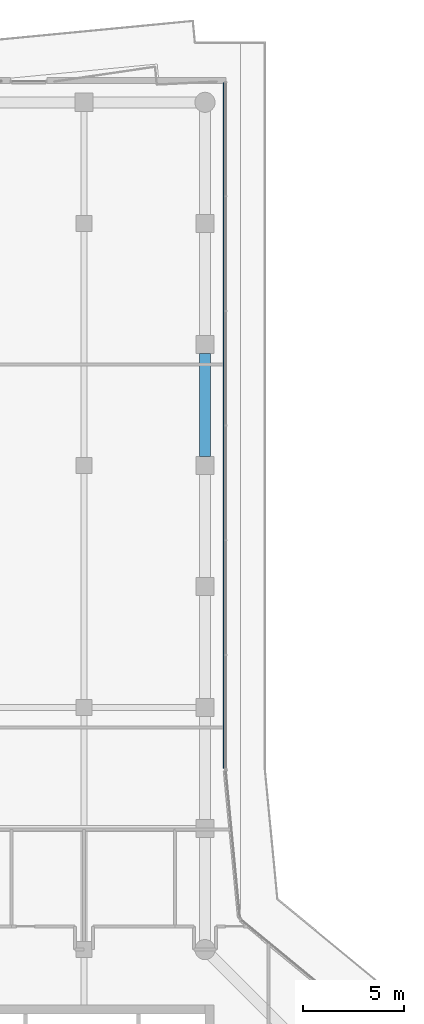
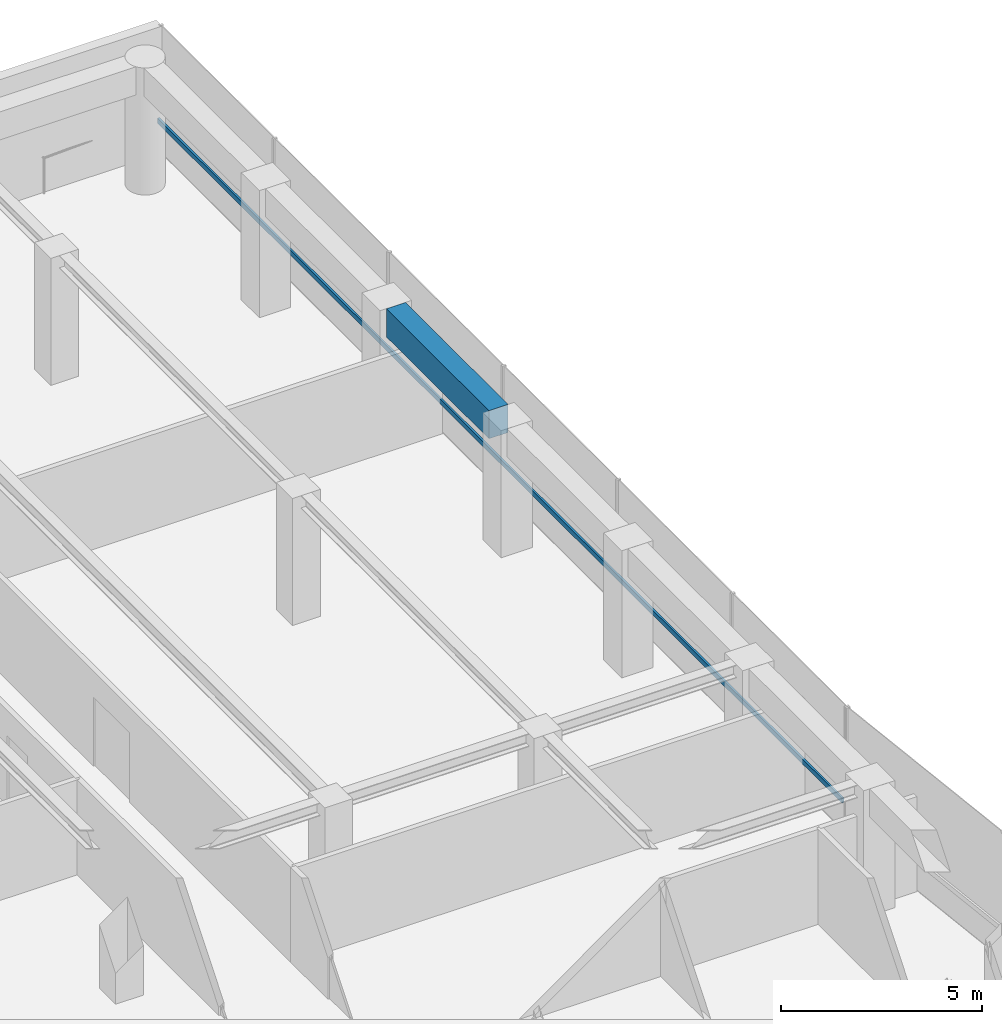
# One storey, part 14 of 23: 1 beam, 1 member, 1 element without a shape of its own.
"""IFC4 building model written with IfcOpenShell, lengths in metres."""

from ifc_helpers import new_model, si_unit, direction, frame, origin, origin_2d, place, context, subcontext, project, spatial, rectangle, extrude, material, layer, layer_set, material_profile, profile_set, type_object, element, aggregate, save


model = new_model("IFC4")

# Units and contexts
model_context = context("Model", 3, precision=1e-05, world=origin(), true_north=direction((0.0, 1.0)))
body_context = subcontext(model_context, "Body", "Model", "MODEL_VIEW")
ifc_project = project(units=[si_unit("LENGTHUNIT", "METRE"), si_unit("AREAUNIT", "SQUARE_METRE"), si_unit("VOLUMEUNIT", "CUBIC_METRE"), si_unit("PLANEANGLEUNIT", "RADIAN"), si_unit("MASSUNIT", "GRAM", prefix="KILO")], contexts=[model_context])

# Site, building, storey
site_placement = place(None, origin())
site = spatial("IfcSite", under=ifc_project, at=site_placement, CompositionType="ELEMENT")
building_placement = place(site_placement, origin())
building = spatial("IfcBuilding", under=site, at=building_placement, Name="Welwitschia Terrace Campus", CompositionType="ELEMENT")
storey_placement = place(building_placement, frame((0.0, 0.0, 205.39990234375)))
storey = spatial("IfcBuildingStorey", under=building, at=storey_placement, Name="L45", CompositionType="ELEMENT", Elevation=205.39990234375)

# Beam
ifc_material_1 = material(Name="Concrete C50/60", Category="concrete")
ifc_material_profile_1 = material_profile(ifc_material_1, rectangle(XDim=0.550048828125, YDim=0.85009765625, at=origin_2d()))
ifc_profile_set_1 = profile_set([ifc_material_profile_1], Name="Concrete C50/60")
beam_type = type_object("IfcBeamType", Name="Ring spandrel 550x850", PredefinedType="SPANDREL", material=ifc_profile_set_1)
beam_placement = place(storey_placement, frame((24.0, 52.450439453125, 3.425048828125), z_axis=(0.0, 1.0, 0.0), x_axis=(-1.0, 0.0, 0.0)))
element("IfcBeam", 1, at=beam_placement, inside=storey, type_object=beam_type, Name="Spandrel SP3", PredefinedType="SPANDREL", context=body_context, shape_type="SweptSolid", body=[
    extrude(rectangle(XDim=0.550048828125, YDim=0.85009765625, at=origin_2d()), origin(), (0.0, 0.0, 1.0), 5.09912109375),
])

# Curtain wall, member
ifc_material_2 = material(Name="Bronze anodised aluminium", Category="aluminium")
ifc_layer = layer(ifc_material_2, 0.1201171875)
ifc_layer_set = layer_set([ifc_layer], Name="Bronze anodised aluminium")
curtain_wall_type = type_object("IfcCurtainWallType", Name="Curtain wall CW2 tower 6000", PredefinedType="NOTDEFINED", material=ifc_layer_set)
curtain_wall_placement = place(storey_placement, origin())
curtain_wall = element("IfcCurtainWall", 2, at=curtain_wall_placement, inside=storey, type_object=curtain_wall_type, Name="CW L45.7.0", PredefinedType="NOTDEFINED")
ifc_material_3 = material(Name="Bronze anodised aluminium", Category="aluminium")
ifc_material_profile_2 = material_profile(ifc_material_3, rectangle(XDim=0.06005859375, YDim=0.14990234375, at=origin_2d()))
ifc_profile_set_2 = profile_set([ifc_material_profile_2], Name="Bronze anodised aluminium")
member_type = type_object("IfcMemberType", Name="Transom 60x150", PredefinedType="USERDEFINED", material=ifc_profile_set_2)
member_placement = place(storey_placement, frame((24.93994140625, 36.979248046875, 1.0), z_axis=(0.0, 1.0, 0.0), x_axis=(-1.0, 0.0, 0.0)))
member = element("IfcMember", 3, at=member_placement, type_object=member_type, Name="Transom L45.7.0", ObjectType="TRANSOM", PredefinedType="USERDEFINED", context=body_context, shape_type="SweptSolid", body=[
    extrude(rectangle(XDim=0.06005859375, YDim=0.14990234375, at=origin_2d()), origin(), (0.0, 0.0, 1.0), 33.99072265625),
])
aggregate(curtain_wall, [member])

save(model, "model.ifc")
